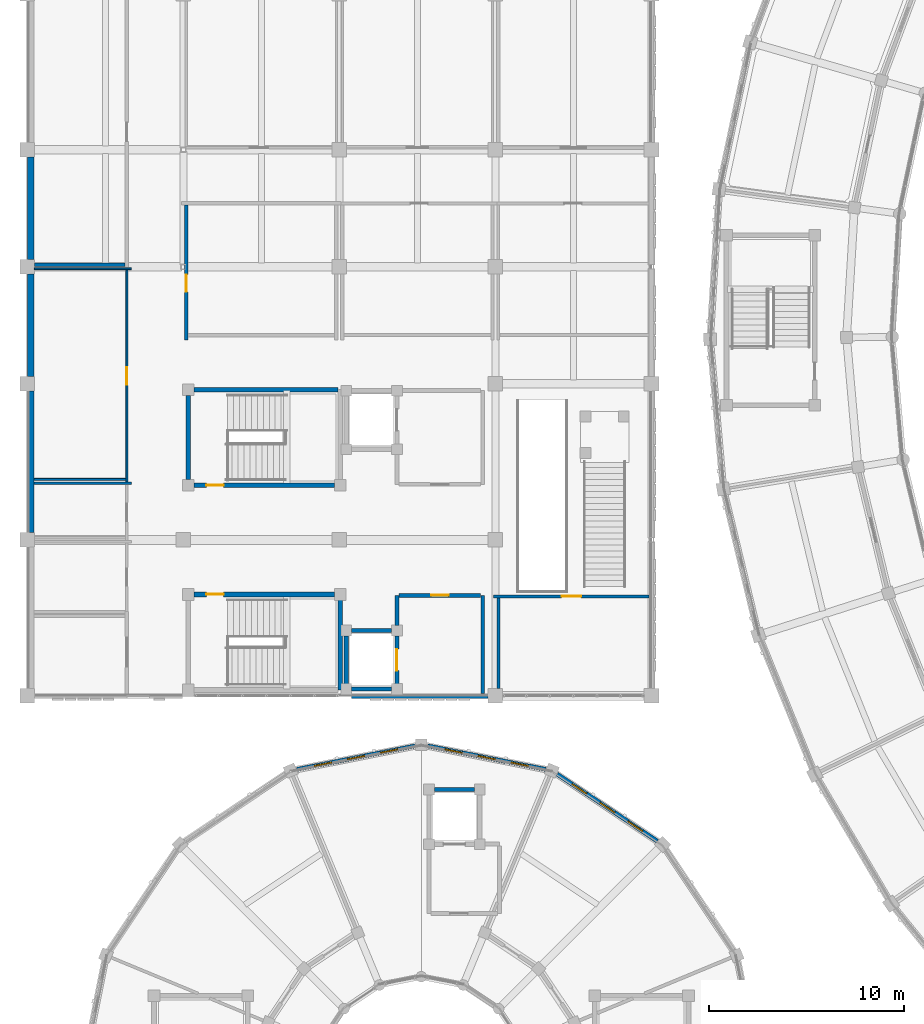
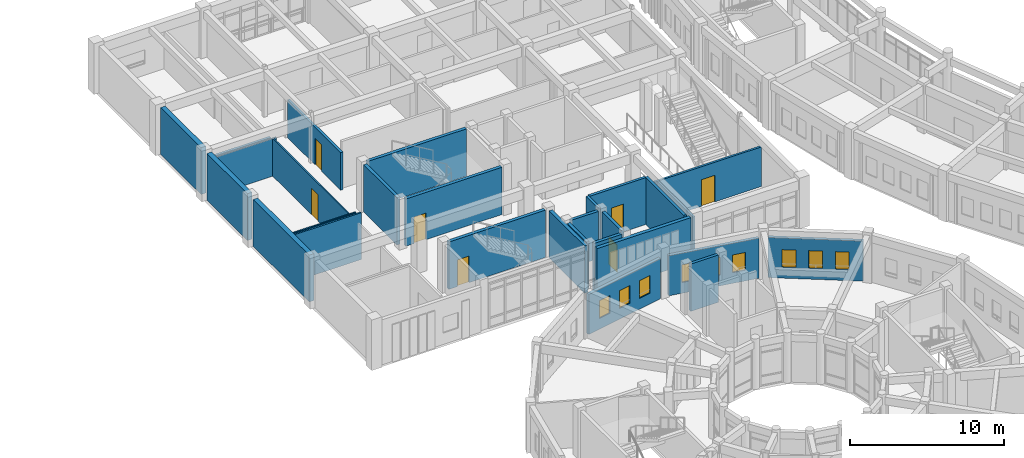
# One storey, part 120 of 159: 28 walls, 9 windows, 7 doors, 16 openings.
"""IFC4 building model written with IfcOpenShell, lengths in metres."""

import ifcopenshell
import ifcopenshell.guid

model = None  # the IFC model being written
_history = None  # IfcOwnerHistory: only IFC2X3 demands one
_inside = {}  # id of a spatial element -> (the spatial element, [elements in it])
_under = {}  # id of a project, library or spatial element -> (it, [spatial elements below it])
_declared = {}  # id of a project -> (the project, [libraries it declares])
_typed = {}  # id of a type object -> (the type object, [elements of that type])
_made_of = {}  # id of a material, layer set ... -> (it, [elements and type objects made of it])


def new_model(schema):
    """Start an empty IFC model of exactly this schema.

    Asked for "IFC4X3", IfcOpenShell would pick the latest addendum, in which some entities
    have other attributes; the version numbers below select the first issue.
    IFC2X3 requires an IfcOwnerHistory on every rooted entity: one is made here for all.
    """
    global model, _history
    if schema == "IFC4X3":
        model = ifcopenshell.file(schema_version=(4, 3, 0, 0))
    else:
        model = ifcopenshell.file(schema=schema)
    _inside.clear()
    _under.clear()
    _declared.clear()
    _typed.clear()
    _made_of.clear()
    _history = None
    if model.schema == "IFC2X3":
        org = make("IfcOrganization", Name="unknown")
        user = make(
            "IfcPersonAndOrganization",
            ThePerson=make("IfcPerson", FamilyName="unknown"),
            TheOrganization=org,
        )
        app = make(
            "IfcApplication",
            ApplicationDeveloper=org,
            Version="unknown",
            ApplicationFullName="unknown",
            ApplicationIdentifier="unknown",
        )
        _history = make(
            "IfcOwnerHistory",
            OwningUser=user,
            OwningApplication=app,
            ChangeAction="ADDED",
            CreationDate=0,
        )
    return model


def make(cls, **values):
    """One entity of the class cls with the attributes given. An attribute that is None is left unset."""
    return model.create_entity(
        cls, **{name: value for name, value in values.items() if value is not None}
    )


def rooted(cls, **values):
    """An entity with a GlobalId (a new one), such as an element, a storey or a relation."""
    return make(cls, GlobalId=ifcopenshell.guid.new(), OwnerHistory=_history, **values)


def si_unit(unit_type, name, prefix=None):
    """IfcSIUnit, for example si_unit("LENGTHUNIT", "METRE", prefix="MILLI")."""
    return make("IfcSIUnit", UnitType=unit_type, Prefix=prefix, Name=name)


def assignment(units):
    """IfcUnitAssignment: the units of a project."""
    return None if units is None else make("IfcUnitAssignment", Units=units)


def point(xyz):
    """IfcCartesianPoint."""
    return None if xyz is None else make("IfcCartesianPoint", Coordinates=xyz)


def direction(xyz):
    """IfcDirection."""
    return None if xyz is None else make("IfcDirection", DirectionRatios=xyz)


def frame(location, z_axis=None, x_axis=None):
    """IfcAxis2Placement3D, a coordinate frame: its origin and axes. An axis left out is left unset."""
    return make(
        "IfcAxis2Placement3D",
        Location=point(location),
        Axis=direction(z_axis),
        RefDirection=direction(x_axis),
    )


def frame_2d(location, x_axis=None):
    """IfcAxis2Placement2D, a coordinate frame in the plane: its origin and x axis."""
    return make(
        "IfcAxis2Placement2D", Location=point(location), RefDirection=direction(x_axis)
    )


def origin():
    """The frame at (0, 0, 0) with its axes left unset."""
    return frame((0.0, 0.0, 0.0))


def place(relative_to, where):
    """IfcLocalPlacement: puts the frame where relative to a parent placement (None: the world)."""
    return make(
        "IfcLocalPlacement", PlacementRelTo=relative_to, RelativePlacement=where
    )


def context(
    kind, dimensions, precision=None, world=None, true_north=None, identifier=None
):
    """IfcGeometricRepresentationContext, for example the 3D "Model" context."""
    return make(
        "IfcGeometricRepresentationContext",
        ContextIdentifier=identifier,
        ContextType=kind,
        CoordinateSpaceDimension=dimensions,
        Precision=precision,
        WorldCoordinateSystem=world,
        TrueNorth=true_north,
    )


def subcontext(parent, identifier, kind, view, scale=None):
    """IfcGeometricRepresentationSubContext, for example "Body" below "Model"."""
    return make(
        "IfcGeometricRepresentationSubContext",
        ContextIdentifier=identifier,
        ContextType=kind,
        ParentContext=parent,
        TargetScale=scale,
        TargetView=view,
    )


def project(units=None, contexts=None):
    """IfcProject with its units and contexts."""
    return rooted(
        "IfcProject",
        Name="project",
        RepresentationContexts=contexts,
        UnitsInContext=assignment(units),
    )


def spatial(cls, under=None, at=None, **own):
    """A site, building, storey or space (cls), placed at a placement, below another one or the project."""
    s = rooted(cls, ObjectPlacement=at, **own)
    if under is not None:
        _under.setdefault(under.id(), (under, []))[1].append(s)
    return s


def profile(cls, at=None, kind="AREA", **sizes):
    """A parametric profile (cls). Its sizes go by their IFC names, for example OverallWidth=200.0."""
    return make(cls, ProfileType=kind, Position=at, **sizes)


def rectangle(**sizes):
    """IfcRectangleProfileDef."""
    return profile("IfcRectangleProfileDef", **sizes)


def extrude(swept, where, along, depth):
    """IfcExtrudedAreaSolid: the profile swept, set in the frame where, extruded along a direction by depth."""
    return make(
        "IfcExtrudedAreaSolid",
        SweptArea=swept,
        Position=where,
        ExtrudedDirection=direction(along),
        Depth=depth,
    )


def shape(context_of_items, identifier, shape_type, items):
    """IfcShapeRepresentation: the items that make up one representation, for example the "Body"."""
    return make(
        "IfcShapeRepresentation",
        ContextOfItems=context_of_items,
        RepresentationIdentifier=identifier,
        RepresentationType=shape_type,
        Items=items,
    )


def material(Name=None, Category=None):
    """IfcMaterial."""
    return make("IfcMaterial", Name=Name, Category=Category)


def layer(
    of_material, thickness, ventilated=None, Name=None, Category=None, Priority=None
):
    """IfcMaterialLayer: one layer of a wall or slab, of a material (None: an air gap)."""
    return make(
        "IfcMaterialLayer",
        Material=of_material,
        LayerThickness=thickness,
        IsVentilated=ventilated,
        Name=Name,
        Category=Category,
        Priority=Priority,
    )


def layer_set(layers, Name=None):
    """IfcMaterialLayerSet."""
    return make("IfcMaterialLayerSet", MaterialLayers=layers, LayerSetName=Name)


def made_of(thing, what):
    """Note that an element or type object is made of a material, layer set ...; save() writes the relation."""
    if what is not None:
        _made_of.setdefault(what.id(), (what, []))[1].append(thing)
    return thing


def type_object(cls, material=None, **own):
    """A type object (cls), such as IfcWallType, which elements share."""
    return made_of(rooted(cls, **own), material)


def element(
    cls,
    number,
    at=None,
    inside=None,
    cuts=None,
    type_object=None,
    material=None,
    context=None,
    identifier="Body",
    shape_type=None,
    held_by="IfcProductDefinitionShape",
    body=None,
    shapes=None,
    **own,
):
    """One element of the class cls, such as IfcWall. Its Tag is "e" and its number.

    at: its placement. inside: the storey or other place that contains it. cuts: it is an
    opening in that element (IfcRelVoidsElement). A single representation is given by context,
    identifier, shape_type and body (its items); several are given by shapes. held_by: the class
    of the entity that holds the representations. save() writes the other relations.
    """
    e = rooted(cls, Tag="e%d" % number, ObjectPlacement=at, **own)
    if body is not None:
        shapes = [shape(context, identifier, shape_type, body)]
    if shapes is not None:
        e.Representation = make(held_by, Representations=shapes)
    if inside is not None:
        _inside.setdefault(inside.id(), (inside, []))[1].append(e)
    if cuts is not None:
        rooted(
            "IfcRelVoidsElement", RelatingBuildingElement=cuts, RelatedOpeningElement=e
        )
    if type_object is not None:
        _typed.setdefault(type_object.id(), (type_object, []))[1].append(e)
    return made_of(e, material)


def fill(opening, filler):
    """IfcRelFillsElement: the door or window that sits in an opening."""
    return rooted(
        "IfcRelFillsElement",
        RelatingOpeningElement=opening,
        RelatedBuildingElement=filler,
    )


def aggregate(whole, parts):
    """IfcRelAggregates: a whole, such as a stair, and the parts it consists of."""
    return rooted("IfcRelAggregates", RelatingObject=whole, RelatedObjects=parts)


def save(model, path):
    """Write the relations noted so far, then the file.

    IfcRelAggregates (storeys below a building ...), IfcRelContainedInSpatialStructure (elements
    in a storey), IfcRelDefinesByType, IfcRelAssociatesMaterial and IfcRelDeclares: one each for
    every whole, place, type object, material and project.
    """
    for whole, parts in _under.values():
        aggregate(whole, parts)
    for where, things in _inside.values():
        rooted(
            "IfcRelContainedInSpatialStructure",
            RelatedElements=things,
            RelatingStructure=where,
        )
    for kind, things in _typed.values():
        rooted("IfcRelDefinesByType", RelatedObjects=things, RelatingType=kind)
    for what, things in _made_of.values():
        rooted("IfcRelAssociatesMaterial", RelatedObjects=things, RelatingMaterial=what)
    for by, libraries in _declared.values():
        rooted("IfcRelDeclares", RelatingContext=by, RelatedDefinitions=libraries)
    model.write(path)


model = new_model("IFC4")

# Units and contexts
model_context = context("Model", 3, precision=1e-05, world=origin(), true_north=direction((0.0, 1.0)))
body_context = subcontext(model_context, "Body", "Model", "MODEL_VIEW")
ifc_project = project(units=[si_unit("LENGTHUNIT", "METRE"), si_unit("AREAUNIT", "SQUARE_METRE"), si_unit("VOLUMEUNIT", "CUBIC_METRE"), si_unit("PLANEANGLEUNIT", "RADIAN"), si_unit("MASSUNIT", "GRAM", prefix="KILO")], contexts=[model_context])

# Site, building, storey
site_placement = place(None, origin())
site = spatial("IfcSite", under=ifc_project, at=site_placement, CompositionType="ELEMENT")
building_placement = place(site_placement, origin())
building = spatial("IfcBuilding", under=site, at=building_placement, Name="Celadon Cloister-Ring School", CompositionType="ELEMENT")
storey_placement = place(building_placement, frame((0.0, 0.0, 4.5)))
storey = spatial("IfcBuildingStorey", under=building, at=storey_placement, Name="L01", CompositionType="ELEMENT", Elevation=4.5)

# Wall
ifc_material_1 = material(Name="Rendered concrete blockwork", Category="masonry")
ifc_layer_1 = layer(ifc_material_1, 0.260009765625)
ifc_layer_set_1 = layer_set([ifc_layer_1], Name="Rendered concrete blockwork")
wall_type_1 = type_object("IfcWallType", Name="WT-EX2", PredefinedType="SOLIDWALL", material=ifc_layer_set_1)
wall_1_placement = place(storey_placement, frame((23.623046875, 40.0, 0.0), z_axis=(0.0, 0.0, 1.0), x_axis=(-1.0, 0.0, 0.0)))
element("IfcWall", 1, at=wall_1_placement, inside=storey, type_object=wall_type_1, Name="Exterior Wall 0508", PredefinedType="SOLIDWALL", context=body_context, shape_type="SweptSolid", body=[
    extrude(rectangle(XDim=6.99609375, YDim=0.260009765625, at=frame_2d((3.498046875, 0.0))), origin(), (0.0, 0.0, 1.0), 3.550048828125),
])

# Wall, openings, windows
ifc_material_2 = material(Name="Perforated terracotta clay brick masonry", Category="masonry")
ifc_layer_2 = layer(ifc_material_2, 0.219970703125)
ifc_layer_set_2 = layer_set([ifc_layer_2], Name="Perforated terracotta clay brick masonry")
wall_type_2 = type_object("IfcWallType", Name="WT-EX4", PredefinedType="SOLIDWALL", material=ifc_layer_set_2)
wall_2_placement = place(storey_placement, frame((27.1708984375, 35.985107421875, 0.0), z_axis=(0.0, 0.0, 1.0), x_axis=(0.831392186772, -0.55568609104, 0.0)))
wall_2 = element("IfcWall", 2, at=wall_2_placement, inside=storey, type_object=wall_type_2, Name="Exterior Wall 0313", PredefinedType="SOLIDWALL", context=body_context, shape_type="SweptSolid", body=[
    extrude(rectangle(XDim=6.16943359375, YDim=0.219970703125, at=frame_2d((3.084716796875, 0.0))), origin(), (0.0, 0.0, 1.0), 3.172119140625),
])
opening_1_placement = place(wall_2_placement, frame((0.906982421875, 0.0, 0.85009765625)))
opening_1 = element("IfcOpeningElement", 3, at=opening_1_placement, cuts=wall_2, Name="Opening WN-21", PredefinedType="OPENING", context=body_context, shape_type="SweptSolid", body=[
    extrude(rectangle(XDim=0.89990234375, YDim=1.39990234375, at=frame_2d((0.449951171875, 0.699951171875))), frame((0.0, 0.1201171875, 0.0), z_axis=(0.0, -1.0, 0.0), x_axis=(1.0, 0.0, 0.0)), (0.0, 0.0, 1.0), 0.239990234375),
])
opening_2_placement = place(wall_2_placement, frame((2.635009765625, 0.0, 0.85009765625)))
opening_2 = element("IfcOpeningElement", 4, at=opening_2_placement, cuts=wall_2, Name="Opening WN-21", PredefinedType="OPENING", context=body_context, shape_type="SweptSolid", body=[
    extrude(rectangle(XDim=0.89990234375, YDim=1.39990234375, at=frame_2d((0.449951171875, 0.699951171875))), frame((0.0, 0.1201171875, 0.0), z_axis=(0.0, -1.0, 0.0), x_axis=(1.0, 0.0, 0.0)), (0.0, 0.0, 1.0), 0.239990234375),
])
opening_3_placement = place(wall_2_placement, frame((4.362060546875, 0.0, 0.85009765625)))
opening_3 = element("IfcOpeningElement", 5, at=opening_3_placement, cuts=wall_2, Name="Opening WN-21", PredefinedType="OPENING", context=body_context, shape_type="SweptSolid", body=[
    extrude(rectangle(XDim=0.89990234375, YDim=1.39990234375, at=frame_2d((0.449951171875, 0.699951171875))), frame((0.0, 0.1201171875, 0.0), z_axis=(0.0, -1.0, 0.0), x_axis=(1.0, 0.0, 0.0)), (0.0, 0.0, 1.0), 0.239990234375),
])
ifc_material_3 = material(Name="Tempered laminated insulating glass", Category="glass")
window_type = type_object("IfcWindowType", Name="WN-21", PartitioningType="SINGLE_PANEL", PredefinedType="WINDOW", material=ifc_material_3)
window_1_placement = place(opening_1_placement, origin())
window_1 = element("IfcWindow", 6, at=window_1_placement, inside=storey, type_object=window_type, Name="Window 0809", OverallHeight=1.39990234375, OverallWidth=0.89990234375, PartitioningType="SINGLE_PANEL", PredefinedType="WINDOW", context=body_context, shape_type="SweptSolid", body=[
    extrude(rectangle(XDim=0.89990234375, YDim=1.39990234375, at=frame_2d((0.449951171875, 0.699951171875))), frame((0.0, 0.030029296875, 0.0), z_axis=(0.0, -1.0, 0.0), x_axis=(1.0, 0.0, 0.0)), (0.0, 0.0, 1.0), 0.06005859375),
])
fill(opening_1, window_1)
window_2_placement = place(opening_2_placement, origin())
window_2 = element("IfcWindow", 7, at=window_2_placement, inside=storey, type_object=window_type, Name="Window 0810", OverallHeight=1.39990234375, OverallWidth=0.89990234375, PartitioningType="SINGLE_PANEL", PredefinedType="WINDOW", context=body_context, shape_type="SweptSolid", body=[
    extrude(rectangle(XDim=0.89990234375, YDim=1.39990234375, at=frame_2d((0.449951171875, 0.699951171875))), frame((0.0, 0.030029296875, 0.0), z_axis=(0.0, -1.0, 0.0), x_axis=(1.0, 0.0, 0.0)), (0.0, 0.0, 1.0), 0.06005859375),
])
fill(opening_2, window_2)
window_3_placement = place(opening_3_placement, origin())
window_3 = element("IfcWindow", 8, at=window_3_placement, inside=storey, type_object=window_type, Name="Window 0811", OverallHeight=1.39990234375, OverallWidth=0.89990234375, PartitioningType="SINGLE_PANEL", PredefinedType="WINDOW", context=body_context, shape_type="SweptSolid", body=[
    extrude(rectangle(XDim=0.89990234375, YDim=1.39990234375, at=frame_2d((0.449951171875, 0.699951171875))), frame((0.0, 0.030029296875, 0.0), z_axis=(0.0, -1.0, 0.0), x_axis=(1.0, 0.0, 0.0)), (0.0, 0.0, 1.0), 0.06005859375),
])
fill(opening_3, window_3)

wall_3_placement = place(storey_placement, frame((20.52294921875, 37.43603515625, 0.0), z_axis=(0.0, 0.0, 1.0), x_axis=(0.980770460131, -0.195164813773, 0.0)))
wall_3 = element("IfcWall", 9, at=wall_3_placement, inside=storey, type_object=wall_type_2, Name="Exterior Wall 0315", PredefinedType="SOLIDWALL", context=body_context, shape_type="SweptSolid", body=[
    extrude(rectangle(XDim=6.169677734375, YDim=0.219970703125, at=frame_2d((3.0849609375, 0.0))), origin(), (0.0, 0.0, 1.0), 3.172119140625),
])
opening_4_placement = place(wall_3_placement, frame((0.906982421875, 0.0, 0.85009765625)))
opening_4 = element("IfcOpeningElement", 10, at=opening_4_placement, cuts=wall_3, Name="Opening WN-21", PredefinedType="OPENING", context=body_context, shape_type="SweptSolid", body=[
    extrude(rectangle(XDim=0.89990234375, YDim=1.39990234375, at=frame_2d((0.449951171875, 0.699951171875))), frame((0.0, 0.1201171875, 0.0), z_axis=(0.0, -1.0, 0.0), x_axis=(1.0, 0.0, 0.0)), (0.0, 0.0, 1.0), 0.239990234375),
])
opening_5_placement = place(wall_3_placement, frame((2.635009765625, 0.0, 0.85009765625)))
opening_5 = element("IfcOpeningElement", 11, at=opening_5_placement, cuts=wall_3, Name="Opening WN-21", PredefinedType="OPENING", context=body_context, shape_type="SweptSolid", body=[
    extrude(rectangle(XDim=0.89990234375, YDim=1.39990234375, at=frame_2d((0.449951171875, 0.699951171875))), frame((0.0, 0.1201171875, 0.0), z_axis=(0.0, -1.0, 0.0), x_axis=(1.0, 0.0, 0.0)), (0.0, 0.0, 1.0), 0.239990234375),
])
opening_6_placement = place(wall_3_placement, frame((4.362060546875, 0.0, 0.85009765625)))
opening_6 = element("IfcOpeningElement", 12, at=opening_6_placement, cuts=wall_3, Name="Opening WN-21", PredefinedType="OPENING", context=body_context, shape_type="SweptSolid", body=[
    extrude(rectangle(XDim=0.89990234375, YDim=1.39990234375, at=frame_2d((0.449951171875, 0.699951171875))), frame((0.0, 0.1201171875, 0.0), z_axis=(0.0, -1.0, 0.0), x_axis=(1.0, 0.0, 0.0)), (0.0, 0.0, 1.0), 0.239990234375),
])
window_4_placement = place(opening_4_placement, origin())
window_4 = element("IfcWindow", 13, at=window_4_placement, inside=storey, type_object=window_type, Name="Window 0812", OverallHeight=1.39990234375, OverallWidth=0.89990234375, PartitioningType="SINGLE_PANEL", PredefinedType="WINDOW", context=body_context, shape_type="SweptSolid", body=[
    extrude(rectangle(XDim=0.89990234375, YDim=1.39990234375, at=frame_2d((0.449951171875, 0.699951171875))), frame((0.0, 0.030029296875, 0.0), z_axis=(0.0, -1.0, 0.0), x_axis=(1.0, 0.0, 0.0)), (0.0, 0.0, 1.0), 0.06005859375),
])
fill(opening_4, window_4)
window_5_placement = place(opening_5_placement, origin())
window_5 = element("IfcWindow", 14, at=window_5_placement, inside=storey, type_object=window_type, Name="Window 0813", OverallHeight=1.39990234375, OverallWidth=0.89990234375, PartitioningType="SINGLE_PANEL", PredefinedType="WINDOW", context=body_context, shape_type="SweptSolid", body=[
    extrude(rectangle(XDim=0.89990234375, YDim=1.39990234375, at=frame_2d((0.449951171875, 0.699951171875))), frame((0.0, 0.030029296875, 0.0), z_axis=(0.0, -1.0, 0.0), x_axis=(1.0, 0.0, 0.0)), (0.0, 0.0, 1.0), 0.06005859375),
])
fill(opening_5, window_5)
window_6_placement = place(opening_6_placement, origin())
window_6 = element("IfcWindow", 15, at=window_6_placement, inside=storey, type_object=window_type, Name="Window 0814", OverallHeight=1.39990234375, OverallWidth=0.89990234375, PartitioningType="SINGLE_PANEL", PredefinedType="WINDOW", context=body_context, shape_type="SweptSolid", body=[
    extrude(rectangle(XDim=0.89990234375, YDim=1.39990234375, at=frame_2d((0.449951171875, 0.699951171875))), frame((0.0, 0.030029296875, 0.0), z_axis=(0.0, -1.0, 0.0), x_axis=(1.0, 0.0, 0.0)), (0.0, 0.0, 1.0), 0.06005859375),
])
fill(opening_6, window_6)

wall_4_placement = place(storey_placement, frame((13.825927734375, 36.23193359375, 0.0), z_axis=(0.0, 0.0, 1.0), x_axis=(0.980770460131, 0.195164813773, 0.0)))
wall_4 = element("IfcWall", 16, at=wall_4_placement, inside=storey, type_object=wall_type_2, Name="Exterior Wall 0316", PredefinedType="SOLIDWALL", context=body_context, shape_type="SweptSolid", body=[
    extrude(rectangle(XDim=6.169677734375, YDim=0.219970703125, at=frame_2d((3.0849609375, 0.0))), origin(), (0.0, 0.0, 1.0), 3.172119140625),
])
opening_7_placement = place(wall_4_placement, frame((0.906982421875, 0.0, 0.85009765625)))
opening_7 = element("IfcOpeningElement", 17, at=opening_7_placement, cuts=wall_4, Name="Opening WN-21", PredefinedType="OPENING", context=body_context, shape_type="SweptSolid", body=[
    extrude(rectangle(XDim=0.89990234375, YDim=1.39990234375, at=frame_2d((0.449951171875, 0.699951171875))), frame((0.0, 0.1201171875, 0.0), z_axis=(0.0, -1.0, 0.0), x_axis=(1.0, 0.0, 0.0)), (0.0, 0.0, 1.0), 0.239990234375),
])
opening_8_placement = place(wall_4_placement, frame((2.635009765625, 0.0, 0.85009765625)))
opening_8 = element("IfcOpeningElement", 18, at=opening_8_placement, cuts=wall_4, Name="Opening WN-21", PredefinedType="OPENING", context=body_context, shape_type="SweptSolid", body=[
    extrude(rectangle(XDim=0.89990234375, YDim=1.39990234375, at=frame_2d((0.449951171875, 0.699951171875))), frame((0.0, 0.1201171875, 0.0), z_axis=(0.0, -1.0, 0.0), x_axis=(1.0, 0.0, 0.0)), (0.0, 0.0, 1.0), 0.239990234375),
])
opening_9_placement = place(wall_4_placement, frame((4.362060546875, 0.0, 0.85009765625)))
opening_9 = element("IfcOpeningElement", 19, at=opening_9_placement, cuts=wall_4, Name="Opening WN-21", PredefinedType="OPENING", context=body_context, shape_type="SweptSolid", body=[
    extrude(rectangle(XDim=0.89990234375, YDim=1.39990234375, at=frame_2d((0.449951171875, 0.699951171875))), frame((0.0, 0.1201171875, 0.0), z_axis=(0.0, -1.0, 0.0), x_axis=(1.0, 0.0, 0.0)), (0.0, 0.0, 1.0), 0.239990234375),
])
window_7_placement = place(opening_7_placement, origin())
window_7 = element("IfcWindow", 20, at=window_7_placement, inside=storey, type_object=window_type, Name="Window 0815", OverallHeight=1.39990234375, OverallWidth=0.89990234375, PartitioningType="SINGLE_PANEL", PredefinedType="WINDOW", context=body_context, shape_type="SweptSolid", body=[
    extrude(rectangle(XDim=0.89990234375, YDim=1.39990234375, at=frame_2d((0.449951171875, 0.699951171875))), frame((0.0, 0.030029296875, 0.0), z_axis=(0.0, -1.0, 0.0), x_axis=(1.0, 0.0, 0.0)), (0.0, 0.0, 1.0), 0.06005859375),
])
fill(opening_7, window_7)
window_8_placement = place(opening_8_placement, origin())
window_8 = element("IfcWindow", 21, at=window_8_placement, inside=storey, type_object=window_type, Name="Window 0816", OverallHeight=1.39990234375, OverallWidth=0.89990234375, PartitioningType="SINGLE_PANEL", PredefinedType="WINDOW", context=body_context, shape_type="SweptSolid", body=[
    extrude(rectangle(XDim=0.89990234375, YDim=1.39990234375, at=frame_2d((0.449951171875, 0.699951171875))), frame((0.0, 0.030029296875, 0.0), z_axis=(0.0, -1.0, 0.0), x_axis=(1.0, 0.0, 0.0)), (0.0, 0.0, 1.0), 0.06005859375),
])
fill(opening_8, window_8)
window_9_placement = place(opening_9_placement, origin())
window_9 = element("IfcWindow", 22, at=window_9_placement, inside=storey, type_object=window_type, Name="Window 0817", OverallHeight=1.39990234375, OverallWidth=0.89990234375, PartitioningType="SINGLE_PANEL", PredefinedType="WINDOW", context=body_context, shape_type="SweptSolid", body=[
    extrude(rectangle(XDim=0.89990234375, YDim=1.39990234375, at=frame_2d((0.449951171875, 0.699951171875))), frame((0.0, 0.030029296875, 0.0), z_axis=(0.0, -1.0, 0.0), x_axis=(1.0, 0.0, 0.0)), (0.0, 0.0, 1.0), 0.06005859375),
])
fill(opening_9, window_9)

# Walls
ifc_material_4 = material(Name="Concrete C40/50", Category="concrete")
ifc_layer_3 = layer(ifc_material_4, 0.35009765625)
ifc_layer_set_3 = layer_set([ifc_layer_3], Name="Concrete C40/50")
wall_type_3 = type_object("IfcWallType", Name="WT-FW2", PredefinedType="SHEAR", material=ifc_layer_set_3)
wall_5_placement = place(storey_placement, frame((0.175048828125, 48.376953125, 0.0), z_axis=(0.0, 0.0, 1.0), x_axis=(0.0, 1.0, 0.0)))
element("IfcWall", 23, at=wall_5_placement, inside=storey, type_object=wall_type_3, Name="Exterior Wall 0511", PredefinedType="SHEAR", context=body_context, shape_type="SweptSolid", body=[
    extrude(rectangle(XDim=7.24609375, YDim=0.35009765625, at=frame_2d((3.623046875, 0.0))), origin(), (0.0, 0.0, 1.0), 3.699951171875),
])
for number, where, z_axis, x_axis, name in (
    (24, (0.175048828125, 56.376953125, 0.0), (0.0, 0.0, 1.0), (0.0, 1.0, 0.0), "Exterior Wall 0512"),
    (25, (0.175048828125, 62.376953125, 0.0), (0.0, 0.0, 1.0), (0.0, 1.0, 0.0), "Exterior Wall 0513"),
):
    element("IfcWall", number, at=place(storey_placement, frame(where, z_axis=z_axis, x_axis=x_axis)), inside=storey, type_object=wall_type_3, Name=name, PredefinedType="SHEAR", context=body_context, shape_type="SweptSolid", body=[
        extrude(rectangle(XDim=5.24609375, YDim=0.35009765625, at=frame_2d((2.623046875, 0.0))), origin(), (0.0, 0.0, 1.0), 3.699951171875),
    ])
ifc_material_5 = material(Name="Plastered hollow concrete masonry", Category="masonry")
ifc_layer_4 = layer(ifc_material_5, 0.199951171875)
ifc_layer_set_4 = layer_set([ifc_layer_4], Name="Plastered hollow concrete masonry")
wall_type_4 = type_object("IfcWallType", Name="WT-PT1", PredefinedType="PARTITIONING", material=ifc_layer_set_4)
wall_6_placement = place(storey_placement, frame((18.949951171875, 43.616943359375, 0.0), z_axis=(0.0, 0.0, 1.0), x_axis=(0.0, 1.0, 0.0)))
element("IfcWall", 26, at=wall_6_placement, inside=storey, type_object=wall_type_4, Name="Interior Wall 0220", PredefinedType="PARTITIONING", context=body_context, shape_type="SweptSolid", body=[
    extrude(rectangle(XDim=1.532958984375, YDim=0.199951171875, at=frame_2d((0.7666015625, 0.0))), origin(), (0.0, 0.0, 1.0), 3.699951171875),
])
wall_7_placement = place(storey_placement, frame((23.35009765625, 40.133056640625, 0.0), z_axis=(0.0, 0.0, 1.0), x_axis=(0.0, 1.0, 0.0)))
element("IfcWall", 27, at=wall_7_placement, inside=storey, type_object=wall_type_4, Name="Interior Wall 0221", PredefinedType="PARTITIONING", context=body_context, shape_type="SweptSolid", body=[
    extrude(rectangle(XDim=5.016845703125, YDim=0.199951171875, at=frame_2d((2.50830078125, 0.0))), origin(), (0.0, 0.0, 1.0), 3.699951171875),
])

# Wall, opening, door
wall_8_placement = place(storey_placement, frame((19.052978515625, 45.14990234375, 0.0), z_axis=(0.0, 0.0, 1.0), x_axis=(1.0, 0.0, 0.0)))
wall_8 = element("IfcWall", 28, at=wall_8_placement, inside=storey, type_object=wall_type_4, Name="Interior Wall 0222", PredefinedType="PARTITIONING", context=body_context, shape_type="SweptSolid", body=[
    extrude(rectangle(XDim=4.194091796875, YDim=0.199951171875, at=frame_2d((2.09716796875, 0.0))), origin(), (0.0, 0.0, 1.0), 3.699951171875),
])
opening_10_placement = place(wall_8_placement, frame((1.64697265625, 0.0, 0.0)))
opening_10 = element("IfcOpeningElement", 29, at=opening_10_placement, cuts=wall_8, Name="Opening D-0086", PredefinedType="OPENING", context=body_context, shape_type="SweptSolid", body=[
    extrude(rectangle(XDim=0.89990234375, YDim=2.199951171875, at=frame_2d((0.449951171875, 1.10009765625))), frame((0.0, 0.10986328125, 0.0), z_axis=(0.0, -1.0, 0.0), x_axis=(1.0, 0.0, 0.0)), (0.0, 0.0, 1.0), 0.219970703125),
])
ifc_material_6 = material(Name="Solid-core fire-rated hardwood leaf", Category="wood")
door_type_1 = type_object("IfcDoorType", Name="DT-06", OperationType="NOTDEFINED", PredefinedType="DOOR", material=ifc_material_6)
door_1_placement = place(opening_10_placement, origin())
door_1 = element("IfcDoor", 30, at=door_1_placement, inside=storey, type_object=door_type_1, Name="Door D-0086", OperationType="SINGLE_SWING_RIGHT", OverallHeight=2.199951171875, OverallWidth=0.89990234375, PredefinedType="DOOR", context=body_context, shape_type="SweptSolid", body=[
    extrude(rectangle(XDim=0.89990234375, YDim=2.199951171875, at=frame_2d((0.449951171875, 1.10009765625))), frame((0.0, 0.02490234375, 0.0), z_axis=(0.0, -1.0, 0.0), x_axis=(1.0, 0.0, 0.0)), (0.0, 0.0, 1.0), 0.050048828125),
])
fill(opening_10, door_1)

ifc_material_7 = material(Name="Plastered hollow concrete masonry", Category="masonry")
ifc_layer_5 = layer(ifc_material_7, 0.179931640625)
ifc_layer_set_5 = layer_set([ifc_layer_5], Name="Plastered hollow concrete masonry")
wall_type_5 = type_object("IfcWallType", Name="WT-PT2", PredefinedType="PARTITIONING", material=ifc_layer_set_5)
wall_9_placement = place(storey_placement, frame((8.14990234375, 58.260009765625, 0.0), z_axis=(0.0, 0.0, 1.0), x_axis=(0.0, 1.0, 0.0)))
wall_9 = element("IfcWall", 31, at=wall_9_placement, inside=storey, type_object=wall_type_5, Name="Interior Wall 0981", PredefinedType="PARTITIONING", context=body_context, shape_type="SweptSolid", body=[
    extrude(rectangle(XDim=6.89697265625, YDim=0.179931640625, at=frame_2d((3.448486328125, 0.0))), origin(), (0.0, 0.0, 1.0), 2.98193359375),
])
opening_11_placement = place(wall_9_placement, frame((2.45703125, 0.0, 0.0)))
opening_11 = element("IfcOpeningElement", 32, at=opening_11_placement, cuts=wall_9, Name="Opening D-0353", PredefinedType="OPENING", context=body_context, shape_type="SweptSolid", body=[
    extrude(rectangle(XDim=0.8798828125, YDim=2.10009765625, at=frame_2d((0.43994140625, 1.050048828125))), frame((0.0, 0.10009765625, 0.0), z_axis=(0.0, -1.0, 0.0), x_axis=(1.0, 0.0, 0.0)), (0.0, 0.0, 1.0), 0.199951171875),
])
ifc_material_8 = material(Name="Solid-core fire-rated hardwood leaf", Category="wood")
door_type_2 = type_object("IfcDoorType", Name="DT-01", OperationType="NOTDEFINED", PredefinedType="DOOR", material=ifc_material_8)
door_2_placement = place(opening_11_placement, origin())
door_2 = element("IfcDoor", 33, at=door_2_placement, inside=storey, type_object=door_type_2, Name="Door D-0353", OperationType="SINGLE_SWING_LEFT", OverallHeight=2.10009765625, OverallWidth=0.8798828125, PredefinedType="DOOR", context=body_context, shape_type="SweptSolid", body=[
    extrude(rectangle(XDim=0.8798828125, YDim=2.10009765625, at=frame_2d((0.43994140625, 1.050048828125))), frame((0.0, 0.02490234375, 0.0), z_axis=(0.0, -1.0, 0.0), x_axis=(1.0, 0.0, 0.0)), (0.0, 0.0, 1.0), 0.050048828125),
])
fill(opening_11, door_2)

# Wall
wall_10_placement = place(storey_placement, frame((5.007080078125, 62.10009765625, 0.0), z_axis=(0.0, 0.0, 1.0), x_axis=(-1.0, 0.0, 0.0)))
element("IfcWall", 34, at=wall_10_placement, inside=storey, type_object=wall_type_5, Name="Interior Wall 1013", PredefinedType="PARTITIONING", context=body_context, shape_type="SweptSolid", body=[
    extrude(rectangle(XDim=4.64013671875, YDim=0.179931640625, at=frame_2d((2.320068359375, 0.0))), origin(), (0.0, 0.0, 1.0), 2.98193359375),
])

# Wall, opening, door
ifc_material_9 = material(Name="Plastered hollow concrete masonry", Category="masonry")
ifc_layer_6 = layer(ifc_material_9, 0.159912109375)
ifc_layer_set_6 = layer_set([ifc_layer_6], Name="Plastered hollow concrete masonry")
wall_type_6 = type_object("IfcWallType", Name="WT-PT3", PredefinedType="PARTITIONING", material=ifc_layer_set_6)
wall_11_placement = place(storey_placement, frame((23.909912109375, 45.10009765625, 0.0), z_axis=(0.0, 0.0, 1.0), x_axis=(1.0, 0.0, 0.0)))
wall_11 = element("IfcWall", 35, at=wall_11_placement, inside=storey, type_object=wall_type_6, Name="Interior Wall 1014", PredefinedType="PARTITIONING", context=body_context, shape_type="SweptSolid", body=[
    extrude(rectangle(XDim=7.95703125, YDim=0.159912109375, at=frame_2d((3.978515625, 0.0))), origin(), (0.0, 0.0, 1.0), 3.132080078125),
])
opening_12_placement = place(wall_11_placement, frame((3.47900390625, 0.0, 0.0)))
opening_12 = element("IfcOpeningElement", 36, at=opening_12_placement, cuts=wall_11, Name="Opening D-0364", PredefinedType="OPENING", context=body_context, shape_type="SweptSolid", body=[
    extrude(rectangle(XDim=1.0, YDim=2.10009765625, at=frame_2d((0.5, 1.050048828125))), frame((0.0, 0.08984375, 0.0), z_axis=(0.0, -1.0, 0.0), x_axis=(1.0, 0.0, 0.0)), (0.0, 0.0, 1.0), 0.179931640625),
])
ifc_material_10 = material(Name="Solid-core fire-rated hardwood leaf", Category="wood")
door_type_3 = type_object("IfcDoorType", Name="DT-04", OperationType="NOTDEFINED", PredefinedType="DOOR", material=ifc_material_10)
door_3_placement = place(opening_12_placement, origin())
door_3 = element("IfcDoor", 37, at=door_3_placement, inside=storey, type_object=door_type_3, Name="Door D-0364", OperationType="SINGLE_SWING_RIGHT", OverallHeight=2.10009765625, OverallWidth=1.0, PredefinedType="DOOR", context=body_context, shape_type="SweptSolid", body=[
    extrude(rectangle(XDim=1.0, YDim=2.10009765625, at=frame_2d((0.5, 1.050048828125))), frame((0.0, 0.02490234375, 0.0), z_axis=(0.0, -1.0, 0.0), x_axis=(1.0, 0.0, 0.0)), (0.0, 0.0, 1.0), 0.050048828125),
])
fill(opening_12, door_3)

# Walls
wall_12_placement = place(storey_placement, frame((24.14990234375, 40.366943359375, 0.0), z_axis=(0.0, 0.0, 1.0), x_axis=(0.0, 1.0, 0.0)))
element("IfcWall", 38, at=wall_12_placement, inside=storey, type_object=wall_type_6, Name="Interior Wall 1015", PredefinedType="PARTITIONING", context=body_context, shape_type="SweptSolid", body=[
    extrude(rectangle(XDim=4.650146484375, YDim=0.159912109375, at=frame_2d((2.3251953125, 0.0))), origin(), (0.0, 0.0, 1.0), 3.132080078125),
])
ifc_material_11 = material(Name="Acoustic mineral-wool drywall partition")
ifc_layer_7 = layer(ifc_material_11, 0.1201171875)
ifc_layer_set_7 = layer_set([ifc_layer_7], Name="Acoustic mineral-wool drywall partition")
wall_type_7 = type_object("IfcWallType", Name="WT-PT5", PredefinedType="PARTITIONING", material=ifc_layer_set_7)
wall_13_placement = place(storey_placement, frame((0.35302734375, 50.89990234375, 0.0), z_axis=(0.0, 0.0, 1.0), x_axis=(1.0, 0.0, 0.0)))
element("IfcWall", 39, at=wall_13_placement, inside=storey, type_object=wall_type_7, Name="Interior Wall 1006", PredefinedType="PARTITIONING", context=body_context, shape_type="SweptSolid", body=[
    extrude(rectangle(XDim=4.987060546875, YDim=0.1201171875, at=frame_2d((2.49365234375, 0.0))), origin(), (0.0, 0.0, 1.0), 3.699951171875),
])
ifc_material_12 = material(Name="Acoustic mineral-wool drywall partition")
ifc_layer_8 = layer(ifc_material_12, 0.10009765625)
ifc_layer_set_8 = layer_set([ifc_layer_8], Name="Acoustic mineral-wool drywall partition")
wall_type_8 = type_object("IfcWallType", Name="WT-PT6", PredefinedType="PARTITIONING", material=ifc_layer_set_8)
wall_14_placement = place(storey_placement, frame((0.366943359375, 61.89990234375, 0.0), z_axis=(0.0, 0.0, 1.0), x_axis=(1.0, 0.0, 0.0)))
element("IfcWall", 40, at=wall_14_placement, inside=storey, type_object=wall_type_8, Name="Interior Wall 1009", PredefinedType="PARTITIONING", context=body_context, shape_type="SweptSolid", body=[
    extrude(rectangle(XDim=4.97314453125, YDim=0.10009765625, at=frame_2d((2.486572265625, 0.0))), origin(), (0.0, 0.0, 1.0), 2.98193359375),
])

# Wall, opening, door
wall_15_placement = place(storey_placement, frame((5.10009765625, 61.846923828125, 0.0), z_axis=(0.0, 0.0, 1.0), x_axis=(0.0, -1.0, 0.0)))
wall_15 = element("IfcWall", 41, at=wall_15_placement, inside=storey, type_object=wall_type_8, Name="Interior Wall 1010", PredefinedType="PARTITIONING", context=body_context, shape_type="SweptSolid", body=[
    extrude(rectangle(XDim=10.884033203125, YDim=0.10009765625, at=frame_2d((5.44189453125, 0.0))), origin(), (0.0, 0.0, 1.0), 2.98193359375),
])
opening_13_placement = place(wall_15_placement, frame((5.001953125, 0.0, 0.0)))
opening_13 = element("IfcOpeningElement", 42, at=opening_13_placement, cuts=wall_15, Name="Opening D-0362", PredefinedType="OPENING", context=body_context, shape_type="SweptSolid", body=[
    extrude(rectangle(XDim=0.8798828125, YDim=2.10009765625, at=frame_2d((0.43994140625, 1.050048828125))), frame((0.0, 0.06005859375, 0.0), z_axis=(0.0, -1.0, 0.0), x_axis=(1.0, 0.0, 0.0)), (0.0, 0.0, 1.0), 0.1201171875),
])
door_4_placement = place(opening_13_placement, origin())
door_4 = element("IfcDoor", 43, at=door_4_placement, inside=storey, type_object=door_type_2, Name="Door D-0362", OperationType="SINGLE_SWING_RIGHT", OverallHeight=2.10009765625, OverallWidth=0.8798828125, PredefinedType="DOOR", context=body_context, shape_type="SweptSolid", body=[
    extrude(rectangle(XDim=0.8798828125, YDim=2.10009765625, at=frame_2d((0.43994140625, 1.050048828125))), frame((0.0, 0.02490234375, 0.0), z_axis=(0.0, -1.0, 0.0), x_axis=(1.0, 0.0, 0.0)), (0.0, 0.0, 1.0), 0.050048828125),
])
fill(opening_13, door_4)

# Walls
wall_16_placement = place(storey_placement, frame((5.047119140625, 51.10009765625, 0.0), z_axis=(0.0, 0.0, 1.0), x_axis=(-1.0, 0.0, 0.0)))
element("IfcWall", 44, at=wall_16_placement, inside=storey, type_object=wall_type_8, Name="Interior Wall 1011", PredefinedType="PARTITIONING", context=body_context, shape_type="SweptSolid", body=[
    extrude(rectangle(XDim=4.694091796875, YDim=0.10009765625, at=frame_2d((2.34716796875, 0.0))), origin(), (0.0, 0.0, 1.0), 3.699951171875),
])
ifc_material_13 = material(Name="Concrete C40/50", Category="concrete")
ifc_layer_9 = layer(ifc_material_13, 0.239990234375)
ifc_layer_set_9 = layer_set([ifc_layer_9], Name="Concrete C40/50")
wall_type_9 = type_object("IfcWallType", Name="WT-SH1", PredefinedType="SHEAR", material=ifc_layer_set_9)
wall_17_placement = place(storey_placement, frame((16.050048828125, 44.907958984375, 0.0), z_axis=(0.0, 0.0, 1.0), x_axis=(0.0, -1.0, 0.0)))
element("IfcWall", 45, at=wall_17_placement, inside=storey, type_object=wall_type_9, Name="Interior Wall 0006", PredefinedType="SHEAR", context=body_context, shape_type="SweptSolid", body=[
    extrude(rectangle(XDim=4.60791015625, YDim=0.239990234375, at=frame_2d((2.303955078125, 0.0))), origin(), (0.0, 0.0, 1.0), 3.739990234375),
])

# Wall, opening, door
wall_18_placement = place(storey_placement, frame((15.758056640625, 45.199951171875, 0.0), z_axis=(0.0, 0.0, 1.0), x_axis=(-1.0, 0.0, 0.0)))
wall_18 = element("IfcWall", 46, at=wall_18_placement, inside=storey, type_object=wall_type_9, Name="Interior Wall 0008", PredefinedType="SHEAR", context=body_context, shape_type="SweptSolid", body=[
    extrude(rectangle(XDim=7.216064453125, YDim=0.239990234375, at=frame_2d((3.60791015625, 0.0))), origin(), (0.0, 0.0, 1.0), 3.739990234375),
])
opening_14_placement = place(wall_18_placement, frame((5.694091796875, 0.0, 0.0)))
opening_14 = element("IfcOpeningElement", 47, at=opening_14_placement, cuts=wall_18, Name="Opening D-0034", PredefinedType="OPENING", context=body_context, shape_type="SweptSolid", body=[
    extrude(rectangle(XDim=0.8798828125, YDim=2.10009765625, at=frame_2d((0.43994140625, 1.050048828125))), frame((0.0, 0.1298828125, 0.0), z_axis=(0.0, -1.0, 0.0), x_axis=(1.0, 0.0, 0.0)), (0.0, 0.0, 1.0), 0.260009765625),
])
door_5_placement = place(opening_14_placement, origin())
door_5 = element("IfcDoor", 48, at=door_5_placement, inside=storey, type_object=door_type_2, Name="Door D-0034", OperationType="SINGLE_SWING_RIGHT", OverallHeight=2.10009765625, OverallWidth=0.8798828125, PredefinedType="DOOR", context=body_context, shape_type="SweptSolid", body=[
    extrude(rectangle(XDim=0.8798828125, YDim=2.10009765625, at=frame_2d((0.43994140625, 1.050048828125))), frame((0.0, 0.02490234375, 0.0), z_axis=(0.0, -1.0, 0.0), x_axis=(1.0, 0.0, 0.0)), (0.0, 0.0, 1.0), 0.050048828125),
])
fill(opening_14, door_5)

# Wall
wall_19_placement = place(storey_placement, frame((8.25, 51.092041015625, 0.0), z_axis=(0.0, 0.0, 1.0), x_axis=(0.0, 1.0, 0.0)))
element("IfcWall", 49, at=wall_19_placement, inside=storey, type_object=wall_type_9, Name="Interior Wall 0029", PredefinedType="SHEAR", context=body_context, shape_type="SweptSolid", body=[
    extrude(rectangle(XDim=4.31591796875, YDim=0.239990234375, at=frame_2d((2.157958984375, 0.0))), origin(), (0.0, 0.0, 1.0), 3.739990234375),
])

# Wall, opening, door
wall_20_placement = place(storey_placement, frame((15.758056640625, 50.800048828125, 0.0), z_axis=(0.0, 0.0, 1.0), x_axis=(-1.0, 0.0, 0.0)))
wall_20 = element("IfcWall", 50, at=wall_20_placement, inside=storey, type_object=wall_type_9, Name="Interior Wall 0031", PredefinedType="SHEAR", context=body_context, shape_type="SweptSolid", body=[
    extrude(rectangle(XDim=7.216064453125, YDim=0.239990234375, at=frame_2d((3.60791015625, 0.0))), origin(), (0.0, 0.0, 1.0), 3.739990234375),
])
opening_15_placement = place(wall_20_placement, frame((5.694091796875, 0.0, 0.0)))
opening_15 = element("IfcOpeningElement", 51, at=opening_15_placement, cuts=wall_20, Name="Opening D-0040", PredefinedType="OPENING", context=body_context, shape_type="SweptSolid", body=[
    extrude(rectangle(XDim=0.8798828125, YDim=2.10009765625, at=frame_2d((0.43994140625, 1.050048828125))), frame((0.0, 0.1298828125, 0.0), z_axis=(0.0, -1.0, 0.0), x_axis=(1.0, 0.0, 0.0)), (0.0, 0.0, 1.0), 0.260009765625),
])
door_6_placement = place(opening_15_placement, origin())
door_6 = element("IfcDoor", 52, at=door_6_placement, inside=storey, type_object=door_type_2, Name="Door D-0040", OperationType="SINGLE_SWING_RIGHT", OverallHeight=2.10009765625, OverallWidth=0.8798828125, PredefinedType="DOOR", context=body_context, shape_type="SweptSolid", body=[
    extrude(rectangle(XDim=0.8798828125, YDim=2.10009765625, at=frame_2d((0.43994140625, 1.050048828125))), frame((0.0, 0.02490234375, 0.0), z_axis=(0.0, -1.0, 0.0), x_axis=(1.0, 0.0, 0.0)), (0.0, 0.0, 1.0), 0.050048828125),
])
fill(opening_15, door_6)

# Walls
wall_21_placement = place(storey_placement, frame((15.927001953125, 55.699951171875, 0.0), z_axis=(0.0, 0.0, 1.0), x_axis=(-1.0, 0.0, 0.0)))
element("IfcWall", 53, at=wall_21_placement, inside=storey, type_object=wall_type_9, Name="Interior Wall 0032", PredefinedType="SHEAR", context=body_context, shape_type="SweptSolid", body=[
    extrude(rectangle(XDim=7.385009765625, YDim=0.239990234375, at=frame_2d((3.6923828125, 0.0))), origin(), (0.0, 0.0, 1.0), 3.739990234375),
])
ifc_material_14 = material(Name="Concrete C40/50", Category="concrete")
ifc_layer_10 = layer(ifc_material_14, 0.219970703125)
ifc_layer_set_10 = layer_set([ifc_layer_10], Name="Concrete C40/50")
wall_type_10 = type_object("IfcWallType", Name="WT-SH2", PredefinedType="SHEAR", material=ifc_layer_set_10)
wall_22_placement = place(storey_placement, frame((16.616943359375, 40.35009765625, 0.0), z_axis=(0.0, 0.0, 1.0), x_axis=(1.0, 0.0, 0.0)))
element("IfcWall", 54, at=wall_22_placement, inside=storey, type_object=wall_type_10, Name="Interior Wall 0216", PredefinedType="SHEAR", context=body_context, shape_type="SweptSolid", body=[
    extrude(rectangle(XDim=2.066162109375, YDim=0.219970703125, at=frame_2d((1.033203125, 0.0))), origin(), (0.0, 0.0, 1.0), 3.739990234375),
])

# Wall, opening, door
wall_23_placement = place(storey_placement, frame((18.949951171875, 40.616943359375, 0.0), z_axis=(0.0, 0.0, 1.0), x_axis=(0.0, 1.0, 0.0)))
wall_23 = element("IfcWall", 55, at=wall_23_placement, inside=storey, type_object=wall_type_10, Name="Interior Wall 0217", PredefinedType="SHEAR", context=body_context, shape_type="SweptSolid", body=[
    extrude(rectangle(XDim=2.466064453125, YDim=0.219970703125, at=frame_2d((1.23291015625, 0.0))), origin(), (0.0, 0.0, 1.0), 3.739990234375),
])
opening_16_placement = place(wall_23_placement, frame((0.68310546875, 0.0, 0.0)))
opening_16 = element("IfcOpeningElement", 56, at=opening_16_placement, cuts=wall_23, Name="Opening LD-002", PredefinedType="OPENING", context=body_context, shape_type="SweptSolid", body=[
    extrude(rectangle(XDim=1.10009765625, YDim=2.14990234375, at=frame_2d((0.550048828125, 1.074951171875))), frame((0.0, 0.1201171875, 0.0), z_axis=(0.0, -1.0, 0.0), x_axis=(1.0, 0.0, 0.0)), (0.0, 0.0, 1.0), 0.239990234375),
])
ifc_material_15 = material(Name="Galvanised fire-rated hollow steel leaf", Category="steel")
door_type_4 = type_object("IfcDoorType", Name="DT-LD1", OperationType="DOUBLE_DOOR_SLIDING", PredefinedType="DOOR", material=ifc_material_15)
door_7_placement = place(opening_16_placement, origin())
door_7 = element("IfcDoor", 57, at=door_7_placement, inside=storey, type_object=door_type_4, Name="Door LD-002", OperationType="DOUBLE_DOOR_SLIDING", OverallHeight=2.14990234375, OverallWidth=1.10009765625, PredefinedType="DOOR", context=body_context, shape_type="SweptSolid", body=[
    extrude(rectangle(XDim=1.10009765625, YDim=2.14990234375, at=frame_2d((0.550048828125, 1.074951171875))), frame((0.0, 0.02490234375, 0.0), z_axis=(0.0, -1.0, 0.0), x_axis=(1.0, 0.0, 0.0)), (0.0, 0.0, 1.0), 0.050048828125),
])
fill(opening_16, door_7)

# Walls
wall_24_placement = place(storey_placement, frame((18.68310546875, 43.35009765625, 0.0), z_axis=(0.0, 0.0, 1.0), x_axis=(-1.0, 0.0, 0.0)))
element("IfcWall", 58, at=wall_24_placement, inside=storey, type_object=wall_type_10, Name="Interior Wall 0218", PredefinedType="SHEAR", context=body_context, shape_type="SweptSolid", body=[
    extrude(rectangle(XDim=2.066162109375, YDim=0.219970703125, at=frame_2d((1.033203125, 0.0))), origin(), (0.0, 0.0, 1.0), 3.739990234375),
])
wall_25_placement = place(storey_placement, frame((16.35009765625, 43.0830078125, 0.0), z_axis=(0.0, 0.0, 1.0), x_axis=(0.0, -1.0, 0.0)))
element("IfcWall", 59, at=wall_25_placement, inside=storey, type_object=wall_type_10, Name="Interior Wall 0219", PredefinedType="SHEAR", context=body_context, shape_type="SweptSolid", body=[
    extrude(rectangle(XDim=2.466064453125, YDim=0.219970703125, at=frame_2d((1.23291015625, 0.0))), origin(), (0.0, 0.0, 1.0), 3.739990234375),
])
wall_26_placement = place(storey_placement, frame((22.93310546875, 35.199951171875, 0.0), z_axis=(0.0, 0.0, 1.0), x_axis=(-1.0, 0.0, 0.0)))
element("IfcWall", 60, at=wall_26_placement, inside=storey, type_object=wall_type_10, Name="Interior Wall 0377", PredefinedType="SHEAR", context=body_context, shape_type="SweptSolid", body=[
    extrude(rectangle(XDim=2.066162109375, YDim=0.219970703125, at=frame_2d((1.033203125, 0.0))), origin(), (0.0, 0.0, 1.0), 3.739990234375),
])

save(model, "model.ifc")
